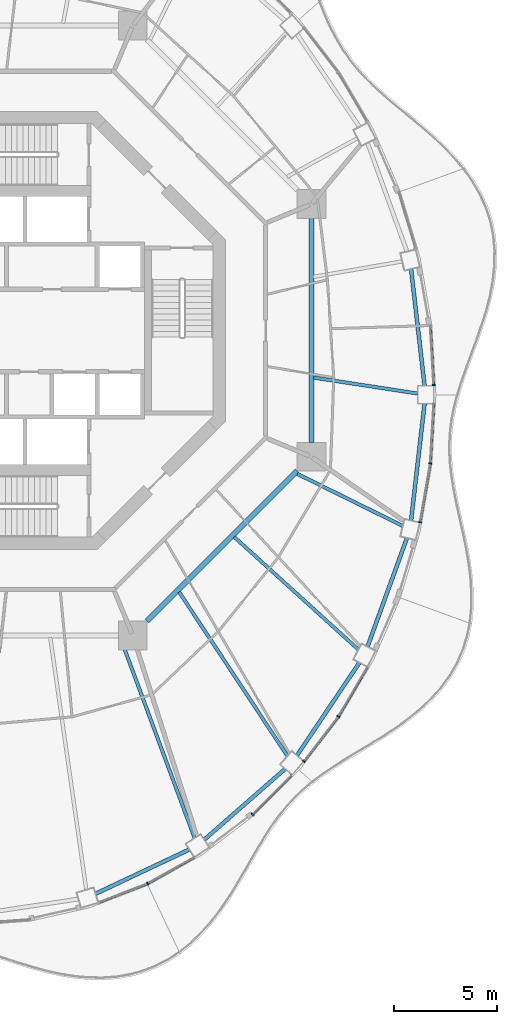
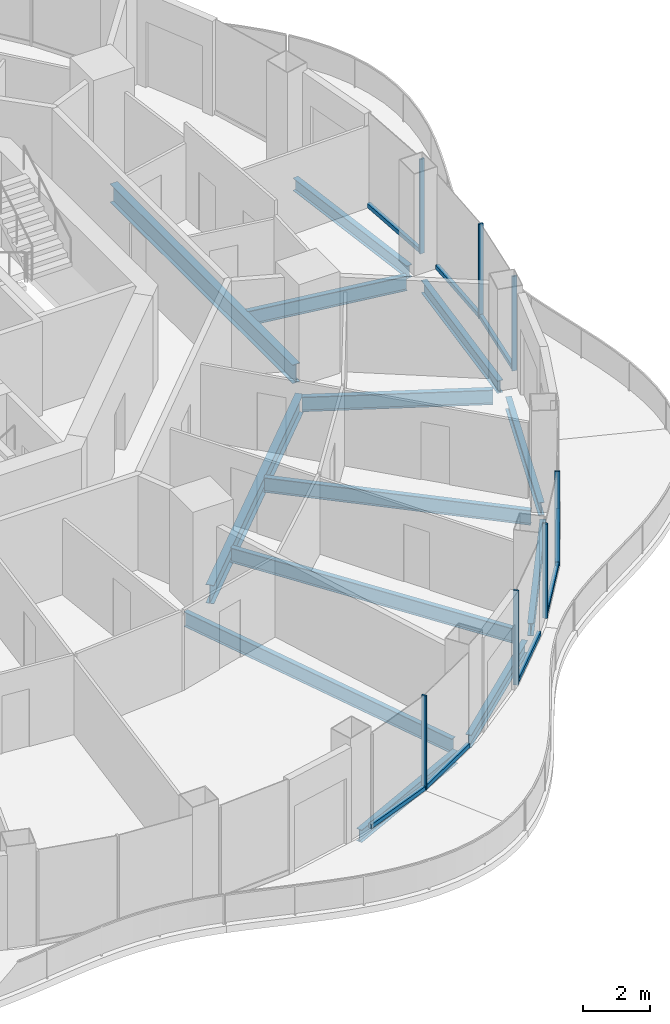
# One storey, part 4 of 18: 15 members, 13 beams, 8 elements without a shape of their own.
"""IFC4 building model written with IfcOpenShell, lengths in metres."""

import ifcopenshell
import ifcopenshell.guid

model = None  # the IFC model being written
_history = None  # IfcOwnerHistory: only IFC2X3 demands one
_inside = {}  # id of a spatial element -> (the spatial element, [elements in it])
_under = {}  # id of a project, library or spatial element -> (it, [spatial elements below it])
_declared = {}  # id of a project -> (the project, [libraries it declares])
_typed = {}  # id of a type object -> (the type object, [elements of that type])
_made_of = {}  # id of a material, layer set ... -> (it, [elements and type objects made of it])


def new_model(schema):
    """Start an empty IFC model of exactly this schema.

    Asked for "IFC4X3", IfcOpenShell would pick the latest addendum, in which some entities
    have other attributes; the version numbers below select the first issue.
    IFC2X3 requires an IfcOwnerHistory on every rooted entity: one is made here for all.
    """
    global model, _history
    if schema == "IFC4X3":
        model = ifcopenshell.file(schema_version=(4, 3, 0, 0))
    else:
        model = ifcopenshell.file(schema=schema)
    _inside.clear()
    _under.clear()
    _declared.clear()
    _typed.clear()
    _made_of.clear()
    _history = None
    if model.schema == "IFC2X3":
        org = make("IfcOrganization", Name="unknown")
        user = make(
            "IfcPersonAndOrganization",
            ThePerson=make("IfcPerson", FamilyName="unknown"),
            TheOrganization=org,
        )
        app = make(
            "IfcApplication",
            ApplicationDeveloper=org,
            Version="unknown",
            ApplicationFullName="unknown",
            ApplicationIdentifier="unknown",
        )
        _history = make(
            "IfcOwnerHistory",
            OwningUser=user,
            OwningApplication=app,
            ChangeAction="ADDED",
            CreationDate=0,
        )
    return model


def make(cls, **values):
    """One entity of the class cls with the attributes given. An attribute that is None is left unset."""
    return model.create_entity(
        cls, **{name: value for name, value in values.items() if value is not None}
    )


def rooted(cls, **values):
    """An entity with a GlobalId (a new one), such as an element, a storey or a relation."""
    return make(cls, GlobalId=ifcopenshell.guid.new(), OwnerHistory=_history, **values)


def si_unit(unit_type, name, prefix=None):
    """IfcSIUnit, for example si_unit("LENGTHUNIT", "METRE", prefix="MILLI")."""
    return make("IfcSIUnit", UnitType=unit_type, Prefix=prefix, Name=name)


def assignment(units):
    """IfcUnitAssignment: the units of a project."""
    return None if units is None else make("IfcUnitAssignment", Units=units)


def point(xyz):
    """IfcCartesianPoint."""
    return None if xyz is None else make("IfcCartesianPoint", Coordinates=xyz)


def direction(xyz):
    """IfcDirection."""
    return None if xyz is None else make("IfcDirection", DirectionRatios=xyz)


def frame(location, z_axis=None, x_axis=None):
    """IfcAxis2Placement3D, a coordinate frame: its origin and axes. An axis left out is left unset."""
    return make(
        "IfcAxis2Placement3D",
        Location=point(location),
        Axis=direction(z_axis),
        RefDirection=direction(x_axis),
    )


def frame_2d(location, x_axis=None):
    """IfcAxis2Placement2D, a coordinate frame in the plane: its origin and x axis."""
    return make(
        "IfcAxis2Placement2D", Location=point(location), RefDirection=direction(x_axis)
    )


def origin():
    """The frame at (0, 0, 0) with its axes left unset."""
    return frame((0.0, 0.0, 0.0))


def origin_2d():
    """The frame at (0, 0) in the plane with its x axis left unset."""
    return frame_2d((0.0, 0.0))


def place(relative_to, where):
    """IfcLocalPlacement: puts the frame where relative to a parent placement (None: the world)."""
    return make(
        "IfcLocalPlacement", PlacementRelTo=relative_to, RelativePlacement=where
    )


def context(
    kind, dimensions, precision=None, world=None, true_north=None, identifier=None
):
    """IfcGeometricRepresentationContext, for example the 3D "Model" context."""
    return make(
        "IfcGeometricRepresentationContext",
        ContextIdentifier=identifier,
        ContextType=kind,
        CoordinateSpaceDimension=dimensions,
        Precision=precision,
        WorldCoordinateSystem=world,
        TrueNorth=true_north,
    )


def subcontext(parent, identifier, kind, view, scale=None):
    """IfcGeometricRepresentationSubContext, for example "Body" below "Model"."""
    return make(
        "IfcGeometricRepresentationSubContext",
        ContextIdentifier=identifier,
        ContextType=kind,
        ParentContext=parent,
        TargetScale=scale,
        TargetView=view,
    )


def project(units=None, contexts=None):
    """IfcProject with its units and contexts."""
    return rooted(
        "IfcProject",
        Name="project",
        RepresentationContexts=contexts,
        UnitsInContext=assignment(units),
    )


def spatial(cls, under=None, at=None, **own):
    """A site, building, storey or space (cls), placed at a placement, below another one or the project."""
    s = rooted(cls, ObjectPlacement=at, **own)
    if under is not None:
        _under.setdefault(under.id(), (under, []))[1].append(s)
    return s


def profile(cls, at=None, kind="AREA", **sizes):
    """A parametric profile (cls). Its sizes go by their IFC names, for example OverallWidth=200.0."""
    return make(cls, ProfileType=kind, Position=at, **sizes)


def rectangle(**sizes):
    """IfcRectangleProfileDef."""
    return profile("IfcRectangleProfileDef", **sizes)


def i_section(**sizes):
    """IfcIShapeProfileDef."""
    return profile("IfcIShapeProfileDef", **sizes)


def extrude(swept, where, along, depth):
    """IfcExtrudedAreaSolid: the profile swept, set in the frame where, extruded along a direction by depth."""
    return make(
        "IfcExtrudedAreaSolid",
        SweptArea=swept,
        Position=where,
        ExtrudedDirection=direction(along),
        Depth=depth,
    )


def shape(context_of_items, identifier, shape_type, items):
    """IfcShapeRepresentation: the items that make up one representation, for example the "Body"."""
    return make(
        "IfcShapeRepresentation",
        ContextOfItems=context_of_items,
        RepresentationIdentifier=identifier,
        RepresentationType=shape_type,
        Items=items,
    )


def material(Name=None, Category=None):
    """IfcMaterial."""
    return make("IfcMaterial", Name=Name, Category=Category)


def layer(
    of_material, thickness, ventilated=None, Name=None, Category=None, Priority=None
):
    """IfcMaterialLayer: one layer of a wall or slab, of a material (None: an air gap)."""
    return make(
        "IfcMaterialLayer",
        Material=of_material,
        LayerThickness=thickness,
        IsVentilated=ventilated,
        Name=Name,
        Category=Category,
        Priority=Priority,
    )


def layer_set(layers, Name=None):
    """IfcMaterialLayerSet."""
    return make("IfcMaterialLayerSet", MaterialLayers=layers, LayerSetName=Name)


def material_profile(
    of_material, cross_section, Name=None, Category=None, Priority=None
):
    """IfcMaterialProfile: a cross section and its material."""
    return make(
        "IfcMaterialProfile",
        Name=Name,
        Material=of_material,
        Profile=cross_section,
        Priority=Priority,
        Category=Category,
    )


def profile_set(profiles, Name=None, composite=None):
    """IfcMaterialProfileSet."""
    return make(
        "IfcMaterialProfileSet",
        Name=Name,
        MaterialProfiles=profiles,
        CompositeProfile=composite,
    )


def made_of(thing, what):
    """Note that an element or type object is made of a material, layer set ...; save() writes the relation."""
    if what is not None:
        _made_of.setdefault(what.id(), (what, []))[1].append(thing)
    return thing


def type_object(cls, material=None, **own):
    """A type object (cls), such as IfcWallType, which elements share."""
    return made_of(rooted(cls, **own), material)


def element(
    cls,
    number,
    at=None,
    inside=None,
    cuts=None,
    type_object=None,
    material=None,
    context=None,
    identifier="Body",
    shape_type=None,
    held_by="IfcProductDefinitionShape",
    body=None,
    shapes=None,
    **own,
):
    """One element of the class cls, such as IfcWall. Its Tag is "e" and its number.

    at: its placement. inside: the storey or other place that contains it. cuts: it is an
    opening in that element (IfcRelVoidsElement). A single representation is given by context,
    identifier, shape_type and body (its items); several are given by shapes. held_by: the class
    of the entity that holds the representations. save() writes the other relations.
    """
    e = rooted(cls, Tag="e%d" % number, ObjectPlacement=at, **own)
    if body is not None:
        shapes = [shape(context, identifier, shape_type, body)]
    if shapes is not None:
        e.Representation = make(held_by, Representations=shapes)
    if inside is not None:
        _inside.setdefault(inside.id(), (inside, []))[1].append(e)
    if cuts is not None:
        rooted(
            "IfcRelVoidsElement", RelatingBuildingElement=cuts, RelatedOpeningElement=e
        )
    if type_object is not None:
        _typed.setdefault(type_object.id(), (type_object, []))[1].append(e)
    return made_of(e, material)


def aggregate(whole, parts):
    """IfcRelAggregates: a whole, such as a stair, and the parts it consists of."""
    return rooted("IfcRelAggregates", RelatingObject=whole, RelatedObjects=parts)


def save(model, path):
    """Write the relations noted so far, then the file.

    IfcRelAggregates (storeys below a building ...), IfcRelContainedInSpatialStructure (elements
    in a storey), IfcRelDefinesByType, IfcRelAssociatesMaterial and IfcRelDeclares: one each for
    every whole, place, type object, material and project.
    """
    for whole, parts in _under.values():
        aggregate(whole, parts)
    for where, things in _inside.values():
        rooted(
            "IfcRelContainedInSpatialStructure",
            RelatedElements=things,
            RelatingStructure=where,
        )
    for kind, things in _typed.values():
        rooted("IfcRelDefinesByType", RelatedObjects=things, RelatingType=kind)
    for what, things in _made_of.values():
        rooted("IfcRelAssociatesMaterial", RelatedObjects=things, RelatingMaterial=what)
    for by, libraries in _declared.values():
        rooted("IfcRelDeclares", RelatingContext=by, RelatedDefinitions=libraries)
    model.write(path)


model = new_model("IFC4")

# Units and contexts
model_context = context("Model", 3, precision=1e-05, world=origin(), true_north=direction((0.0, 1.0)))
body_context = subcontext(model_context, "Body", "Model", "MODEL_VIEW")
ifc_project = project(units=[si_unit("LENGTHUNIT", "METRE"), si_unit("AREAUNIT", "SQUARE_METRE"), si_unit("VOLUMEUNIT", "CUBIC_METRE"), si_unit("PLANEANGLEUNIT", "RADIAN"), si_unit("MASSUNIT", "GRAM", prefix="KILO")], contexts=[model_context])

# Site, building, storey
site_placement = place(None, origin())
site = spatial("IfcSite", under=ifc_project, at=site_placement, CompositionType="ELEMENT")
building_placement = place(site_placement, origin())
building = spatial("IfcBuilding", under=site, at=building_placement, Name="Nagisa Residences", CompositionType="ELEMENT")
storey_placement = place(building_placement, frame((0.0, 0.0, 284.39990234375)))
storey = spatial("IfcBuildingStorey", under=building, at=storey_placement, Name="L72", CompositionType="ELEMENT", Elevation=284.39990234375)

# Curtain wall, member
ifc_material_1 = material(Name="Concrete-coloured aluminium curtain wall system", Category="concrete")
ifc_layer = layer(ifc_material_1, 0.159912109375)
ifc_layer_set = layer_set([ifc_layer], Name="CW1 CURTAIN WALL")
curtain_wall_type = type_object("IfcCurtainWallType", Name="CW1 CURTAIN WALL", PredefinedType="NOTDEFINED", material=ifc_layer_set)
curtain_wall_1_placement = place(storey_placement, origin())
curtain_wall_1 = element("IfcCurtainWall", 1, at=curtain_wall_1_placement, inside=storey, type_object=curtain_wall_type, Name="cw:CW1:L72:00", PredefinedType="NOTDEFINED")
ifc_material_2 = material(Name="Concrete-coloured aluminium", Category="concrete")
ifc_material_profile_1 = material_profile(ifc_material_2, rectangle(XDim=0.159912109375, YDim=0.06005859375, at=origin_2d()), Name="CW1 MULLION 160x60")
ifc_profile_set_1 = profile_set([ifc_material_profile_1], Name="Concrete-coloured aluminium")
member_type_1 = type_object("IfcMemberType", Name="CW1 MULLION 160x60", PredefinedType="MULLION", material=ifc_profile_set_1)
member_1_placement = place(storey_placement, frame((20.712646484375, -2.64306640625, 0.0), z_axis=(0.0, 0.0, 1.0), x_axis=(-0.998345305184, -0.057503492216, 0.0)))
member_1 = element("IfcMember", 2, at=member_1_placement, type_object=member_type_1, Name="CW1 mullion", PredefinedType="MULLION", context=body_context, shape_type="SweptSolid", body=[
    extrude(rectangle(XDim=0.159912109375, YDim=0.06005859375, at=origin_2d()), origin(), (0.0, 0.0, 1.0), 3.440185546875),
])

curtain_wall_2_placement = place(storey_placement, origin())
curtain_wall_2 = element("IfcCurtainWall", 3, at=curtain_wall_2_placement, inside=storey, type_object=curtain_wall_type, Name="cw:CW1:L72:39", PredefinedType="NOTDEFINED")
member_2_placement = place(storey_placement, frame((6.84326171875, -26.81396484375, 0.0), z_axis=(0.0, 0.0, 1.0), x_axis=(-0.489376918501, 0.872072377523, 0.0)))
member_2 = element("IfcMember", 4, at=member_2_placement, type_object=member_type_1, Name="CW1 mullion", PredefinedType="MULLION", context=body_context, shape_type="SweptSolid", body=[
    extrude(rectangle(XDim=0.159912109375, YDim=0.06005859375, at=origin_2d()), origin(), (0.0, 0.0, 1.0), 3.440185546875),
])

curtain_wall_3_placement = place(storey_placement, origin())
curtain_wall_3 = element("IfcCurtainWall", 5, at=curtain_wall_3_placement, inside=storey, type_object=curtain_wall_type, Name="cw:CW1:L72:41", PredefinedType="NOTDEFINED")
member_3_placement = place(storey_placement, frame((11.934814453125, -23.460693359375, 0.0), z_axis=(0.0, 0.0, 1.0), x_axis=(-0.706376885714, 0.707835924016, 0.0)))
member_3 = element("IfcMember", 6, at=member_3_placement, type_object=member_type_1, Name="CW1 mullion", PredefinedType="MULLION", context=body_context, shape_type="SweptSolid", body=[
    extrude(rectangle(XDim=0.159912109375, YDim=0.06005859375, at=origin_2d()), origin(), (0.0, 0.0, 1.0), 3.440185546875),
])

curtain_wall_4_placement = place(storey_placement, origin())
curtain_wall_4 = element("IfcCurtainWall", 7, at=curtain_wall_4_placement, inside=storey, type_object=curtain_wall_type, Name="cw:CW1:L72:42", PredefinedType="NOTDEFINED")
member_4_placement = place(storey_placement, frame((14.42431640625, -20.8896484375, 0.0), z_axis=(0.0, 0.0, 1.0), x_axis=(-0.792070340816, 0.610429828235, 0.0)))
member_4 = element("IfcMember", 8, at=member_4_placement, type_object=member_type_1, Name="CW1 mullion", PredefinedType="MULLION", context=body_context, shape_type="SweptSolid", body=[
    extrude(rectangle(XDim=0.159912109375, YDim=0.06005859375, at=origin_2d()), origin(), (0.0, 0.0, 1.0), 3.440185546875),
])

curtain_wall_5_placement = place(storey_placement, origin())
curtain_wall_5 = element("IfcCurtainWall", 9, at=curtain_wall_5_placement, inside=storey, type_object=curtain_wall_type, Name="cw:CW1:L72:43", PredefinedType="NOTDEFINED")
member_5_placement = place(storey_placement, frame((16.091796875, -18.720947265625, 0.0), z_axis=(0.0, 0.0, 1.0), x_axis=(-0.862328898214, 0.506348567002, 0.0)))
member_5 = element("IfcMember", 10, at=member_5_placement, type_object=member_type_1, Name="CW1 mullion", PredefinedType="MULLION", context=body_context, shape_type="SweptSolid", body=[
    extrude(rectangle(XDim=0.159912109375, YDim=0.06005859375, at=origin_2d()), origin(), (0.0, 0.0, 1.0), 3.440185546875),
])

curtain_wall_6_placement = place(storey_placement, origin())
curtain_wall_6 = element("IfcCurtainWall", 11, at=curtain_wall_6_placement, inside=storey, type_object=curtain_wall_type, Name="cw:CW1:L72:46", PredefinedType="NOTDEFINED")
member_6_placement = place(storey_placement, frame((20.052978515625, -9.29296875, 0.0), z_axis=(0.0, 0.0, 1.0), x_axis=(-0.985063604377, 0.172190868898, 0.0)))
member_6 = element("IfcMember", 12, at=member_6_placement, type_object=member_type_1, Name="CW1 mullion", PredefinedType="MULLION", context=body_context, shape_type="SweptSolid", body=[
    extrude(rectangle(XDim=0.159912109375, YDim=0.06005859375, at=origin_2d()), origin(), (0.0, 0.0, 1.0), 3.440185546875),
])

curtain_wall_7_placement = place(storey_placement, origin())
curtain_wall_7 = element("IfcCurtainWall", 13, at=curtain_wall_7_placement, inside=storey, type_object=curtain_wall_type, Name="cw:CW1:L72:47", PredefinedType="NOTDEFINED")
member_7_placement = place(storey_placement, frame((20.54833984375, -6.44287109375, 0.0), z_axis=(0.0, 0.0, 1.0), x_axis=(-0.998345305184, 0.057503492216, 0.0)))
member_7 = element("IfcMember", 14, at=member_7_placement, type_object=member_type_1, Name="CW1 mullion", PredefinedType="MULLION", context=body_context, shape_type="SweptSolid", body=[
    extrude(rectangle(XDim=0.159912109375, YDim=0.06005859375, at=origin_2d()), origin(), (0.0, 0.0, 1.0), 3.440185546875),
])

# Member
ifc_material_3 = material(Name="Concrete-coloured aluminium", Category="concrete")
ifc_material_profile_2 = material_profile(ifc_material_3, rectangle(XDim=0.1201171875, YDim=0.14990234375, at=origin_2d()), Name="CW1 TRANSOM 120x150")
ifc_profile_set_2 = profile_set([ifc_material_profile_2], Name="Concrete-coloured aluminium")
member_type_2 = type_object("IfcMemberType", Name="CW1 TRANSOM 120x150", PredefinedType="USERDEFINED", material=ifc_profile_set_2)
member_8_placement = place(storey_placement, frame((20.71435546875, -2.673095703125, 0.0751953125), z_axis=(-0.057529123486, 0.998343828524, 0.0), x_axis=(-0.998343828524, -0.057529123486, 0.0)))
member_8 = element("IfcMember", 15, at=member_8_placement, type_object=member_type_2, Name="CW1 transom", ObjectType="TRANSOM", PredefinedType="USERDEFINED", context=body_context, shape_type="SweptSolid", body=[
    extrude(rectangle(XDim=0.1201171875, YDim=0.14990234375, at=origin_2d()), origin(), (0.0, 0.0, 1.0), 2.91552734375),
])

aggregate(curtain_wall_1, [member_1, member_8])

# Curtain wall, member
curtain_wall_8_placement = place(storey_placement, origin())
curtain_wall_8 = element("IfcCurtainWall", 16, at=curtain_wall_8_placement, inside=storey, type_object=curtain_wall_type, Name="cw:CW1:L72:38", PredefinedType="NOTDEFINED")
member_9_placement = place(storey_placement, frame((4.4453125, -27.743896484375, 0.0751953125), z_axis=(0.93282223778, 0.360336887792, 0.0), x_axis=(-0.360336887792, 0.93282223778, 0.0)))
member_9 = element("IfcMember", 17, at=member_9_placement, type_object=member_type_2, Name="CW1 transom", ObjectType="TRANSOM", PredefinedType="USERDEFINED", context=body_context, shape_type="SweptSolid", body=[
    extrude(rectangle(XDim=0.1201171875, YDim=0.14990234375, at=origin_2d()), origin(), (0.0, 0.0, 1.0), 2.5537109375),
])
aggregate(curtain_wall_8, [member_9])

# Member
member_10_placement = place(storey_placement, frame((6.817138671875, -26.82861328125, 0.0751953125), z_axis=(0.872052877201, 0.489411666561, 0.0), x_axis=(-0.489411666561, 0.872052877201, 0.0)))
member_10 = element("IfcMember", 18, at=member_10_placement, type_object=member_type_2, Name="CW1 transom", ObjectType="TRANSOM", PredefinedType="USERDEFINED", context=body_context, shape_type="SweptSolid", body=[
    extrude(rectangle(XDim=0.1201171875, YDim=0.14990234375, at=origin_2d()), origin(), (0.0, 0.0, 1.0), 2.593017578125),
])

aggregate(curtain_wall_2, [member_2, member_10])

member_11_placement = place(storey_placement, frame((11.91357421875, -23.48193359375, 0.0751953125), z_axis=(0.707876975297, 0.706335747251, 0.0), x_axis=(-0.706335747251, 0.707876975297, 0.0)))
member_11 = element("IfcMember", 19, at=member_11_placement, type_object=member_type_2, Name="CW1 transom", ObjectType="TRANSOM", PredefinedType="USERDEFINED", context=body_context, shape_type="SweptSolid", body=[
    extrude(rectangle(XDim=0.1201171875, YDim=0.14990234375, at=origin_2d()), origin(), (0.0, 0.0, 1.0), 2.69287109375),
])

aggregate(curtain_wall_3, [member_3, member_11])

member_12_placement = place(storey_placement, frame((14.406005859375, -20.913330078125, 0.0751953125), z_axis=(0.610432336622, 0.792068407656, 0.0), x_axis=(-0.792068407656, 0.610432336622, 0.0)))
member_12 = element("IfcMember", 20, at=member_12_placement, type_object=member_type_2, Name="CW1 transom", ObjectType="TRANSOM", PredefinedType="USERDEFINED", context=body_context, shape_type="SweptSolid", body=[
    extrude(rectangle(XDim=0.1201171875, YDim=0.14990234375, at=origin_2d()), origin(), (0.0, 0.0, 1.0), 2.74609375),
])

aggregate(curtain_wall_4, [member_4, member_12])

member_13_placement = place(storey_placement, frame((16.07666015625, -18.74658203125, 0.0751953125), z_axis=(0.506371364425, 0.862315511452, 0.0), x_axis=(-0.862315511452, 0.506371364425, 0.0)))
member_13 = element("IfcMember", 21, at=member_13_placement, type_object=member_type_2, Name="CW1 transom", ObjectType="TRANSOM", PredefinedType="USERDEFINED", context=body_context, shape_type="SweptSolid", body=[
    extrude(rectangle(XDim=0.1201171875, YDim=0.14990234375, at=origin_2d()), origin(), (0.0, 0.0, 1.0), 2.79638671875),
])

aggregate(curtain_wall_5, [member_5, member_13])

member_14_placement = place(storey_placement, frame((20.0478515625, -9.32275390625, 0.0751953125), z_axis=(0.172182411767, 0.985065082661, 0.0), x_axis=(-0.985065082661, 0.172182411767, 0.0)))
member_14 = element("IfcMember", 22, at=member_14_placement, type_object=member_type_2, Name="CW1 transom", ObjectType="TRANSOM", PredefinedType="USERDEFINED", context=body_context, shape_type="SweptSolid", body=[
    extrude(rectangle(XDim=0.1201171875, YDim=0.14990234375, at=origin_2d()), origin(), (0.0, 0.0, 1.0), 2.902587890625),
])

aggregate(curtain_wall_6, [member_6, member_14])

member_15_placement = place(storey_placement, frame((20.546630859375, -6.472900390625, 0.0751953125), z_axis=(0.057529123486, 0.998343828524, 0.0), x_axis=(-0.998343828524, 0.057529123486, 0.0)))
member_15 = element("IfcMember", 23, at=member_15_placement, type_object=member_type_2, Name="CW1 transom", ObjectType="TRANSOM", PredefinedType="USERDEFINED", context=body_context, shape_type="SweptSolid", body=[
    extrude(rectangle(XDim=0.1201171875, YDim=0.14990234375, at=origin_2d()), origin(), (0.0, 0.0, 1.0), 2.91552734375),
])

aggregate(curtain_wall_7, [member_7, member_15])

# Beams
ifc_material_4 = material(Name="Steel ASTM A572 Gr 50", Category="steel")
ifc_material_profile_3 = material_profile(ifc_material_4, i_section(OverallWidth=0.2529296875, OverallDepth=0.677978515625, WebThickness=0.01171875, FlangeThickness=0.016357421875, at=origin_2d()), Name="W690x125")
ifc_profile_set_3 = profile_set([ifc_material_profile_3], Name="Steel ASTM A572 Gr 50")
beam_type_1 = type_object("IfcBeamType", Name="Inner ring beam W690x125", PredefinedType="BEAM", material=ifc_profile_set_3)
beam_1_placement = place(storey_placement, frame((6.808837890625, -14.09619140625, -0.598876953125), z_axis=(0.707106781187, 0.707106781187, 0.0), x_axis=(-0.707106781187, 0.707106781187, 0.0)))
element("IfcBeam", 24, at=beam_1_placement, inside=storey, type_object=beam_type_1, Name="beam:L72:ib7", PredefinedType="BEAM", context=body_context, shape_type="SweptSolid", body=[
    extrude(i_section(OverallWidth=0.2529296875, OverallDepth=0.677978515625, WebThickness=0.01171875, FlangeThickness=0.016357421875, at=origin_2d()), origin(), (0.0, 0.0, 1.0), 10.305908203125),
])
beam_2_placement = place(storey_placement, frame((14.781982421875, -5.44287109375, -0.598876953125), z_axis=(0.0, 1.0, 0.0), x_axis=(-1.0, 0.0, 0.0)))
element("IfcBeam", 25, at=beam_2_placement, inside=storey, type_object=beam_type_1, Name="beam:L72:ib8", PredefinedType="BEAM", context=body_context, shape_type="SweptSolid", body=[
    extrude(i_section(OverallWidth=0.2529296875, OverallDepth=0.677978515625, WebThickness=0.01171875, FlangeThickness=0.016357421875, at=origin_2d()), origin(), (0.0, 0.0, 1.0), 10.8857421875),
])
ifc_material_5 = material(Name="Steel ASTM A572 Gr 50", Category="steel")
ifc_material_profile_4 = material_profile(ifc_material_5, i_section(OverallWidth=0.18994140625, OverallDepth=0.45703125, WebThickness=0.009033203125, FlangeThickness=0.014404296875, at=origin_2d()), Name="W460x74")
ifc_profile_set_4 = profile_set([ifc_material_profile_4], Name="Steel ASTM A572 Gr 50")
beam_type_2 = type_object("IfcBeamType", Name="Perimeter ring beam W460x74", PredefinedType="BEAM", material=ifc_profile_set_4)
beam_3_placement = place(storey_placement, frame((20.270263671875, -2.6875, -0.48828125), z_axis=(-0.114593271741, 0.993412493414, 0.0), x_axis=(-0.993412493414, -0.114593271741, 0.0)))
element("IfcBeam", 26, at=beam_3_placement, inside=storey, type_object=beam_type_2, Name="beam:L72:pb01", PredefinedType="BEAM", context=body_context, shape_type="SweptSolid", body=[
    extrude(i_section(OverallWidth=0.18994140625, OverallDepth=0.45703125, WebThickness=0.009033203125, FlangeThickness=0.014404296875, at=origin_2d()), origin(), (0.0, 0.0, 1.0), 5.709716796875),
])
beam_4_placement = place(storey_placement, frame((4.318115234375, -27.311767578125, -0.48828125), z_axis=(0.904115893837, 0.427287316113, 0.0), x_axis=(-0.427287316113, 0.904115893837, 0.0)))
element("IfcBeam", 27, at=beam_4_placement, inside=storey, type_object=beam_type_2, Name="beam:L72:pb20", PredefinedType="BEAM", context=body_context, shape_type="SweptSolid", body=[
    extrude(i_section(OverallWidth=0.18994140625, OverallDepth=0.45703125, WebThickness=0.009033203125, FlangeThickness=0.014404296875, at=origin_2d()), origin(), (0.0, 0.0, 1.0), 5.031494140625),
])
beam_5_placement = place(storey_placement, frame((9.586669921875, -24.690185546875, -0.48828125), z_axis=(0.752385480596, 0.658723074279, 0.0), x_axis=(-0.658723074279, 0.752385480596, 0.0)))
element("IfcBeam", 28, at=beam_5_placement, inside=storey, type_object=beam_type_2, Name="beam:L72:pb21", PredefinedType="BEAM", context=body_context, shape_type="SweptSolid", body=[
    extrude(i_section(OverallWidth=0.18994140625, OverallDepth=0.45703125, WebThickness=0.009033203125, FlangeThickness=0.014404296875, at=origin_2d()), origin(), (0.0, 0.0, 1.0), 5.220947265625),
])
beam_6_placement = place(storey_placement, frame((14.083251953125, -20.605224609375, -0.48828125), z_axis=(0.558045612854, 0.829810275891, 0.0), x_axis=(-0.829810275891, 0.558045612854, 0.0)))
element("IfcBeam", 29, at=beam_6_placement, inside=storey, type_object=beam_type_2, Name="beam:L72:pb22", PredefinedType="BEAM", context=body_context, shape_type="SweptSolid", body=[
    extrude(i_section(OverallWidth=0.18994140625, OverallDepth=0.45703125, WebThickness=0.009033203125, FlangeThickness=0.014404296875, at=origin_2d()), origin(), (0.0, 0.0, 1.0), 5.432373046875),
])
beam_7_placement = place(storey_placement, frame((17.50439453125, -15.330322265625, -0.48828125), z_axis=(0.341211850477, 0.93998642176, 0.0), x_axis=(-0.93998642176, 0.341211850477, 0.0)))
element("IfcBeam", 30, at=beam_7_placement, inside=storey, type_object=beam_type_2, Name="beam:L72:pb23", PredefinedType="BEAM", context=body_context, shape_type="SweptSolid", body=[
    extrude(i_section(OverallWidth=0.18994140625, OverallDepth=0.45703125, WebThickness=0.009033203125, FlangeThickness=0.014404296875, at=origin_2d()), origin(), (0.0, 0.0, 1.0), 5.609619140625),
])
beam_8_placement = place(storey_placement, frame((19.615966796875, -9.219970703125, -0.48828125), z_axis=(0.114593271741, 0.993412493414, 0.0), x_axis=(-0.993412493414, 0.114593271741, 0.0)))
element("IfcBeam", 31, at=beam_8_placement, inside=storey, type_object=beam_type_2, Name="beam:L72:pb24", PredefinedType="BEAM", context=body_context, shape_type="SweptSolid", body=[
    extrude(i_section(OverallWidth=0.18994140625, OverallDepth=0.45703125, WebThickness=0.009033203125, FlangeThickness=0.014404296875, at=origin_2d()), origin(), (0.0, 0.0, 1.0), 5.709716796875),
])
ifc_material_6 = material(Name="Steel ASTM A572 Gr 50", Category="steel")
ifc_material_profile_5 = material_profile(ifc_material_6, i_section(OverallWidth=0.166015625, OverallDepth=0.534912109375, WebThickness=0.01025390625, FlangeThickness=0.0166015625, at=origin_2d()), Name="W530x85")
ifc_profile_set_5 = profile_set([ifc_material_profile_5], Name="Steel ASTM A572 Gr 50")
beam_type_3 = type_object("IfcBeamType", Name="Radial beam W530x85", PredefinedType="BEAM", material=ifc_profile_set_5)
beam_9_placement = place(storey_placement, frame((19.939697265625, -3.059326171875, -0.52734375), z_axis=(-0.988434580655, 0.151647880849, 0.0), x_axis=(-0.151647880849, -0.988434580655, 0.0)))
element("IfcBeam", 32, at=beam_9_placement, inside=storey, type_object=beam_type_3, Name="beam:L72:rb01", PredefinedType="BEAM", context=body_context, shape_type="SweptSolid", body=[
    extrude(i_section(OverallWidth=0.166015625, OverallDepth=0.534912109375, WebThickness=0.01025390625, FlangeThickness=0.0166015625, at=origin_2d()), origin(), (0.0, 0.0, 1.0), 5.10986328125),
])
beam_10_placement = place(storey_placement, frame((9.124267578125, -24.610107421875, -0.52734375), z_axis=(-0.347626513472, 0.93763308769, 0.0), x_axis=(-0.93763308769, -0.347626513472, 0.0)))
element("IfcBeam", 33, at=beam_10_placement, inside=storey, type_object=beam_type_3, Name="beam:L72:rb21", PredefinedType="BEAM", context=body_context, shape_type="SweptSolid", body=[
    extrude(i_section(OverallWidth=0.166015625, OverallDepth=0.534912109375, WebThickness=0.01025390625, FlangeThickness=0.0166015625, at=origin_2d()), origin(), (0.0, 0.0, 1.0), 10.36669921875),
])
beam_11_placement = place(storey_placement, frame((13.623779296875, -20.6357421875, -0.52734375), z_axis=(-0.550958197916, 0.834532841864, 0.0), x_axis=(-0.834532841864, -0.550958197916, 0.0)))
element("IfcBeam", 34, at=beam_11_placement, inside=storey, type_object=beam_type_3, Name="beam:L72:rb22", PredefinedType="BEAM", context=body_context, shape_type="SweptSolid", body=[
    extrude(i_section(OverallWidth=0.166015625, OverallDepth=0.534912109375, WebThickness=0.01025390625, FlangeThickness=0.0166015625, at=origin_2d()), origin(), (0.0, 0.0, 1.0), 9.52978515625),
])
beam_12_placement = place(storey_placement, frame((17.064208984375, -15.47265625, -0.52734375), z_axis=(-0.740818788558, 0.671704937096, 0.0), x_axis=(-0.671704937096, -0.740818788558, 0.0)))
element("IfcBeam", 35, at=beam_12_placement, inside=storey, type_object=beam_type_3, Name="beam:L72:rb23", PredefinedType="BEAM", context=body_context, shape_type="SweptSolid", body=[
    extrude(i_section(OverallWidth=0.166015625, OverallDepth=0.534912109375, WebThickness=0.01025390625, FlangeThickness=0.0166015625, at=origin_2d()), origin(), (0.0, 0.0, 1.0), 8.128173828125),
])
beam_13_placement = place(storey_placement, frame((19.216064453125, -9.4775390625, -0.52734375), z_axis=(-0.896862727732, 0.442308995618, 0.0), x_axis=(-0.442308995618, -0.896862727732, 0.0)))
element("IfcBeam", 36, at=beam_13_placement, inside=storey, type_object=beam_type_3, Name="beam:L72:rb24", PredefinedType="BEAM", context=body_context, shape_type="SweptSolid", body=[
    extrude(i_section(OverallWidth=0.166015625, OverallDepth=0.534912109375, WebThickness=0.01025390625, FlangeThickness=0.0166015625, at=origin_2d()), origin(), (0.0, 0.0, 1.0), 5.702392578125),
])

save(model, "model.ifc")
